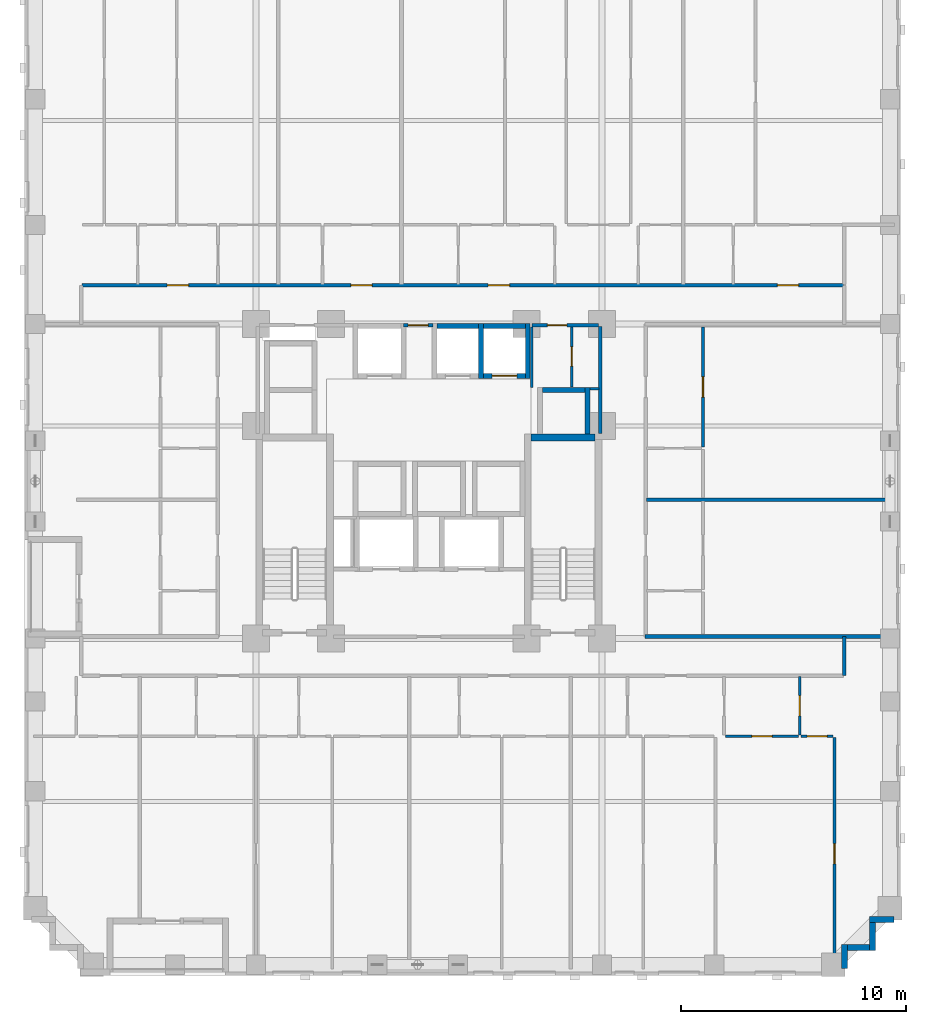
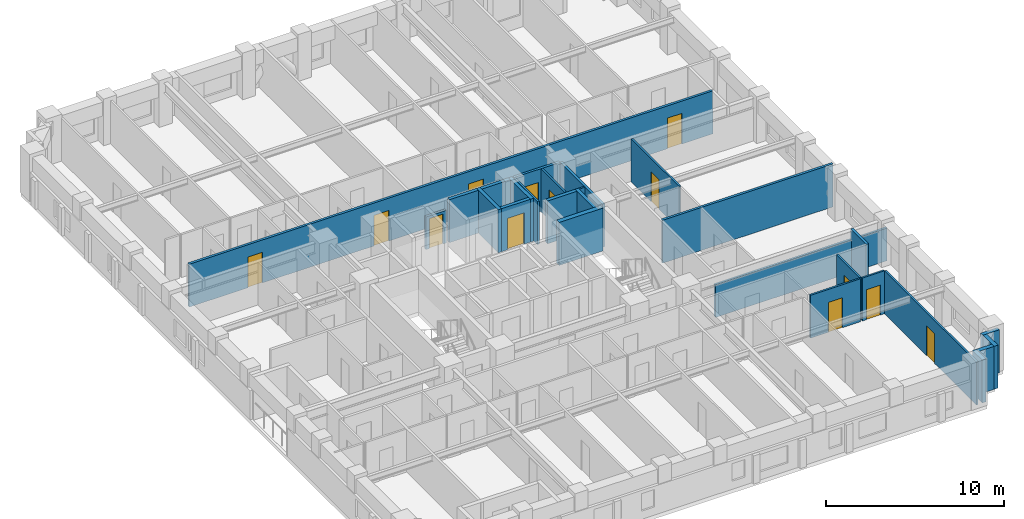
# One storey, part 6 of 14: 27 walls, 13 doors, 13 openings.
"""IFC4 building model written with IfcOpenShell, lengths in metres."""

from ifc_helpers import new_model, si_unit, derived_unit, direction, frame, frame_2d, origin, place, context, subcontext, project, spatial, rectangle, extrude, material, layer, layer_set, type_object, element, fill, save


model = new_model("IFC4")

# Units and contexts
model_context = context("Model", 3, precision=1e-05, world=origin(), true_north=direction((0.0, 1.0)))
body_context = subcontext(model_context, "Body", "Model", "MODEL_VIEW")
ifc_project = project(units=[si_unit("LENGTHUNIT", "METRE"), si_unit("AREAUNIT", "SQUARE_METRE"), si_unit("VOLUMEUNIT", "CUBIC_METRE"), si_unit("PLANEANGLEUNIT", "RADIAN"), si_unit("MASSUNIT", "GRAM", prefix="KILO"), derived_unit("THERMALTRANSMITTANCEUNIT", [(si_unit("MASSUNIT", "GRAM", prefix="KILO"), 1), (si_unit("TIMEUNIT", "SECOND"), -3), (si_unit("THERMODYNAMICTEMPERATUREUNIT", "KELVIN"), -1)])], contexts=[model_context])

# Site, building, storey
site_placement = place(None, origin())
site = spatial("IfcSite", under=ifc_project, at=site_placement, CompositionType="ELEMENT")
building_placement = place(site_placement, origin())
building = spatial("IfcBuilding", under=site, at=building_placement, Name="Korrvale Station Residences", CompositionType="ELEMENT")
storey_placement = place(building_placement, frame((0.0, 0.0, 54.60009765625)))
storey = spatial("IfcBuildingStorey", under=building, at=storey_placement, Name="L14", CompositionType="ELEMENT", Elevation=54.60009765625)

# Walls
ifc_material_1 = material(Name="Concrete C70/85", Category="concrete")
ifc_layer_1 = layer(ifc_material_1, 0.300048828125, Name="Concrete C70/85")
ifc_layer_set_1 = layer_set([ifc_layer_1], Name="Concrete C70/85")
wall_type_1 = type_object("IfcWallType", Name="WAL-CORE-300-C70", PredefinedType="SHEAR", material=ifc_layer_set_1)
wall_1_placement = place(storey_placement, frame((30.050048828125, 23.949951171875, 0.0), z_axis=(0.0, 0.0, 1.0), x_axis=(1.0, 0.0, 0.0)))
element("IfcWall", 1, at=wall_1_placement, inside=storey, type_object=wall_type_1, Name="L14 ST-2 Core Shear Wall North", PredefinedType="SHEAR", context=body_context, shape_type="SweptSolid", body=[
    extrude(rectangle(XDim=2.849853515625, YDim=0.300048828125, at=frame_2d((1.4248046875, 0.0))), origin(), (0.0, 0.0, 1.0), 2.93994140625),
])
ifc_material_2 = material(Name="Precast concrete C45/55", Category="concrete")
ifc_layer_2 = layer(ifc_material_2, 0.260009765625, Name="Precast concrete C45/55")
ifc_layer_set_2 = layer_set([ifc_layer_2], Name="Precast concrete C45/55")
wall_type_2 = type_object("IfcWallType", Name="WAL-EXT-LOG260", PredefinedType="SOLIDWALL", material=ifc_layer_set_2)
wall_2_placement = place(storey_placement, frame((46.197998046875, 2.5, 0.0), z_axis=(0.0, 0.0, 1.0), x_axis=(-1.0, 0.0, 0.0)))
element("IfcWall", 2, at=wall_2_placement, inside=storey, type_object=wall_type_2, Name="L14 Serrated Corner Precast Step SE-1", PredefinedType="SOLIDWALL", context=body_context, shape_type="SweptSolid", body=[
    extrude(rectangle(XDim=1.077880859375, YDim=0.260009765625, at=frame_2d((0.5390625, 0.0))), origin(), (0.0, 0.0, 1.0), 2.93994140625),
])
wall_3_placement = place(storey_placement, frame((45.25, 2.367919921875, 0.0), z_axis=(0.0, 0.0, 1.0), x_axis=(0.0, -1.0, 0.0)))
element("IfcWall", 3, at=wall_3_placement, inside=storey, type_object=wall_type_2, Name="L14 Serrated Corner Precast Step SE-2", PredefinedType="SOLIDWALL", context=body_context, shape_type="SweptSolid", body=[
    extrude(rectangle(XDim=1.247802734375, YDim=0.260009765625, at=frame_2d((0.6240234375, 0.0))), origin(), (0.0, 0.0, 1.0), 2.93994140625),
])
wall_4_placement = place(storey_placement, frame((45.117919921875, 1.25, 0.0), z_axis=(0.0, 0.0, 1.0), x_axis=(-1.0, 0.0, 0.0)))
element("IfcWall", 4, at=wall_4_placement, inside=storey, type_object=wall_type_2, Name="L14 Serrated Corner Precast Step SE-3", PredefinedType="SOLIDWALL", context=body_context, shape_type="SweptSolid", body=[
    extrude(rectangle(XDim=0.98583984375, YDim=0.260009765625, at=frame_2d((0.492919921875, 0.0))), origin(), (0.0, 0.0, 1.0), 2.93994140625),
])
wall_5_placement = place(storey_placement, frame((44.0, 1.3798828125, 0.0), z_axis=(0.0, 0.0, 1.0), x_axis=(0.0, -1.0, 0.0)))
element("IfcWall", 5, at=wall_5_placement, inside=storey, type_object=wall_type_2, Name="L14 Serrated Corner Precast Step SE-4", PredefinedType="SOLIDWALL", context=body_context, shape_type="SweptSolid", body=[
    extrude(rectangle(XDim=1.077880859375, YDim=0.260009765625, at=frame_2d((0.5390625, 0.0))), origin(), (0.0, 0.0, 1.0), 2.93994140625),
])
ifc_material_3 = material(Name="Acoustic steel-stud gypsum board partition", Category="steel")
ifc_layer_3 = layer(ifc_material_3, 0.1201171875, Name="Acoustic steel-stud gypsum board partition")
ifc_layer_set_3 = layer_set([ifc_layer_3], Name="Acoustic steel-stud gypsum board partition")
wall_type_3 = type_object("IfcWallType", Name="WAL-PART-125", PredefinedType="PARTITIONING", material=ifc_layer_set_3)
wall_6_placement = place(storey_placement, frame((30.080078125, 26.179931640625, 0.0), z_axis=(0.0, 0.0, 1.0), x_axis=(0.0, 1.0, 0.0)))
element("IfcWall", 6, at=wall_6_placement, inside=storey, type_object=wall_type_3, Name="L14 Core Partition CW-CS-W", PredefinedType="PARTITIONING", context=body_context, shape_type="SweptSolid", body=[
    extrude(rectangle(XDim=2.68017578125, YDim=0.1201171875, at=frame_2d((1.340087890625, 0.0))), origin(), (0.0, 0.0, 1.0), 2.93994140625),
])
wall_7_placement = place(storey_placement, frame((32.679931640625, 26.1201171875, 0.0), z_axis=(0.0, 0.0, 1.0), x_axis=(1.0, 0.0, 0.0)))
element("IfcWall", 7, at=wall_7_placement, inside=storey, type_object=wall_type_3, Name="L14 Core Partition CW-CS-S", PredefinedType="PARTITIONING", context=body_context, shape_type="SweptSolid", body=[
    extrude(rectangle(XDim=0.380126953125, YDim=0.1201171875, at=frame_2d((0.18994140625, 0.0))), origin(), (0.0, 0.0, 1.0), 2.93994140625),
])

# Wall, opening, door
wall_8_placement = place(storey_placement, frame((31.860107421875, 26.199951171875, 0.0), z_axis=(0.0, 0.0, 1.0), x_axis=(0.0, 1.0, 0.0)))
wall_8 = element("IfcWall", 8, at=wall_8_placement, inside=storey, type_object=wall_type_3, Name="L14 Core Partition CW-CS-MID", PredefinedType="PARTITIONING", context=body_context, shape_type="SweptSolid", body=[
    extrude(rectangle(XDim=2.66015625, YDim=0.1201171875, at=frame_2d((1.330078125, 0.0))), origin(), (0.0, 0.0, 1.0), 2.93994140625),
])
opening_1_placement = place(wall_8_placement, frame((0.919921875, 0.0, 0.0)))
opening_1 = element("IfcOpeningElement", 9, at=opening_1_placement, cuts=wall_8, Name="Opening DB-860", PredefinedType="OPENING", context=body_context, shape_type="SweptSolid", body=[
    extrude(rectangle(XDim=0.860107421875, YDim=2.050048828125, at=frame_2d((0.43017578125, 1.02490234375))), frame((0.0, 0.070068359375, 0.0), z_axis=(0.0, -1.0, 0.0), x_axis=(1.0, 0.0, 0.0)), (0.0, 0.0, 1.0), 0.14013671875),
])
ifc_material_4 = material(Name="Moisture-resistant solid-core bathroom door", Category="timber")
door_type_1 = type_object("IfcDoorType", Name="DR-BATH-860", OperationType="NOTDEFINED", PredefinedType="DOOR", material=ifc_material_4)
door_1_placement = place(opening_1_placement, origin())
door_1 = element("IfcDoor", 10, at=door_1_placement, inside=storey, type_object=door_type_1, Name="L14 Metering Inner Door", OperationType="SINGLE_SWING_LEFT", OverallHeight=2.050048828125, OverallWidth=0.860107421875, PredefinedType="DOOR", context=body_context, shape_type="SweptSolid", body=[
    extrude(rectangle(XDim=0.860107421875, YDim=2.050048828125, at=frame_2d((0.43017578125, 1.02490234375))), frame((0.0, 0.02490234375, 0.0), z_axis=(0.0, -1.0, 0.0), x_axis=(1.0, 0.0, 0.0)), (0.0, 0.0, 1.0), 0.050048828125),
])
fill(opening_1, door_1)

wall_9_placement = place(storey_placement, frame((42.007080078125, 10.7099609375, 0.0), z_axis=(0.0, 0.0, 1.0), x_axis=(0.0, 1.0, 0.0)))
wall_9 = element("IfcWall", 11, at=wall_9_placement, inside=storey, type_object=wall_type_3, Name="L14 Suite Partition U04-V23", PredefinedType="PARTITIONING", context=body_context, shape_type="SweptSolid", body=[
    extrude(rectangle(XDim=2.60009765625, YDim=0.1201171875, at=frame_2d((1.300048828125, 0.0))), origin(), (0.0, 0.0, 1.0), 2.93994140625),
])
opening_2_placement = place(wall_9_placement, frame((0.85009765625, 0.0, 0.0)))
opening_2 = element("IfcOpeningElement", 12, at=opening_2_placement, cuts=wall_9, Name="Opening DI-900", PredefinedType="OPENING", context=body_context, shape_type="SweptSolid", body=[
    extrude(rectangle(XDim=0.89990234375, YDim=2.050048828125, at=frame_2d((0.449951171875, 1.02490234375))), frame((0.0, 0.070068359375, 0.0), z_axis=(0.0, -1.0, 0.0), x_axis=(1.0, 0.0, 0.0)), (0.0, 0.0, 1.0), 0.14013671875),
])
ifc_material_5 = material(Name="Painted solid-core timber interior room door", Category="wood")
door_type_2 = type_object("IfcDoorType", Name="DR-INT-900", OperationType="NOTDEFINED", PredefinedType="DOOR", material=ifc_material_5)
door_2_placement = place(opening_2_placement, origin())
door_2 = element("IfcDoor", 13, at=door_2_placement, inside=storey, type_object=door_type_2, Name="L14 Studio Apartment L14-U04 Home Study Room Door", OperationType="SINGLE_SWING_RIGHT", OverallHeight=2.050048828125, OverallWidth=0.89990234375, PredefinedType="DOOR", context=body_context, shape_type="SweptSolid", body=[
    extrude(rectangle(XDim=0.89990234375, YDim=2.050048828125, at=frame_2d((0.449951171875, 1.02490234375))), frame((0.0, 0.02490234375, 0.0), z_axis=(0.0, -1.0, 0.0), x_axis=(1.0, 0.0, 0.0)), (0.0, 0.0, 1.0), 0.050048828125),
])
fill(opening_2, door_2)

wall_10_placement = place(storey_placement, frame((38.697021484375, 10.64990234375, 0.0), z_axis=(0.0, 0.0, 1.0), x_axis=(1.0, 0.0, 0.0)))
wall_10 = element("IfcWall", 14, at=wall_10_placement, inside=storey, type_object=wall_type_3, Name="L14 Suite Partition U04-H26", PredefinedType="PARTITIONING", context=body_context, shape_type="SweptSolid", body=[
    extrude(rectangle(XDim=3.25, YDim=0.1201171875, at=frame_2d((1.625, 0.0))), origin(), (0.0, 0.0, 1.0), 2.93994140625),
])
opening_3_placement = place(wall_10_placement, frame((1.175048828125, 0.0, 0.0)))
opening_3 = element("IfcOpeningElement", 15, at=opening_3_placement, cuts=wall_10, Name="Opening DI-900", PredefinedType="OPENING", context=body_context, shape_type="SweptSolid", body=[
    extrude(rectangle(XDim=0.89990234375, YDim=2.050048828125, at=frame_2d((0.449951171875, 1.02490234375))), frame((0.0, 0.070068359375, 0.0), z_axis=(0.0, -1.0, 0.0), x_axis=(1.0, 0.0, 0.0)), (0.0, 0.0, 1.0), 0.14013671875),
])
door_3_placement = place(opening_3_placement, origin())
door_3 = element("IfcDoor", 16, at=door_3_placement, inside=storey, type_object=door_type_2, Name="L14 Studio Apartment L14-U04 Home Study Room Door", OperationType="SINGLE_SWING_LEFT", OverallHeight=2.050048828125, OverallWidth=0.89990234375, PredefinedType="DOOR", context=body_context, shape_type="SweptSolid", body=[
    extrude(rectangle(XDim=0.89990234375, YDim=2.050048828125, at=frame_2d((0.449951171875, 1.02490234375))), frame((0.0, 0.02490234375, 0.0), z_axis=(0.0, -1.0, 0.0), x_axis=(1.0, 0.0, 0.0)), (0.0, 0.0, 1.0), 0.050048828125),
])
fill(opening_3, door_3)

wall_11_placement = place(storey_placement, frame((42.06689453125, 10.64990234375, 0.0), z_axis=(0.0, 0.0, 1.0), x_axis=(1.0, 0.0, 0.0)))
wall_11 = element("IfcWall", 17, at=wall_11_placement, inside=storey, type_object=wall_type_3, Name="L14 Suite Partition U04-H36", PredefinedType="PARTITIONING", context=body_context, shape_type="SweptSolid", body=[
    extrude(rectangle(XDim=1.423095703125, YDim=0.1201171875, at=frame_2d((0.71142578125, 0.0))), origin(), (0.0, 0.0, 1.0), 2.93994140625),
])
opening_4_placement = place(wall_11_placement, frame((0.261962890625, 0.0, 0.0)))
opening_4 = element("IfcOpeningElement", 18, at=opening_4_placement, cuts=wall_11, Name="Opening DI-900", PredefinedType="OPENING", context=body_context, shape_type="SweptSolid", body=[
    extrude(rectangle(XDim=0.89990234375, YDim=2.050048828125, at=frame_2d((0.449951171875, 1.02490234375))), frame((0.0, 0.070068359375, 0.0), z_axis=(0.0, -1.0, 0.0), x_axis=(1.0, 0.0, 0.0)), (0.0, 0.0, 1.0), 0.14013671875),
])
door_4_placement = place(opening_4_placement, origin())
door_4 = element("IfcDoor", 19, at=door_4_placement, inside=storey, type_object=door_type_2, Name="L14 Studio Apartment L14-U04 Utility and Laundry Room Door", OperationType="SINGLE_SWING_RIGHT", OverallHeight=2.050048828125, OverallWidth=0.89990234375, PredefinedType="DOOR", context=body_context, shape_type="SweptSolid", body=[
    extrude(rectangle(XDim=0.89990234375, YDim=2.050048828125, at=frame_2d((0.449951171875, 1.02490234375))), frame((0.0, 0.02490234375, 0.0), z_axis=(0.0, -1.0, 0.0), x_axis=(1.0, 0.0, 0.0)), (0.0, 0.0, 1.0), 0.050048828125),
])
fill(opening_4, door_4)

wall_12_placement = place(storey_placement, frame((43.550048828125, 0.280029296875, 0.0), z_axis=(0.0, 0.0, 1.0), x_axis=(0.0, 1.0, 0.0)))
wall_12 = element("IfcWall", 20, at=wall_12_placement, inside=storey, type_object=wall_type_3, Name="L14 Suite Partition U04-V67", PredefinedType="PARTITIONING", context=body_context, shape_type="SweptSolid", body=[
    extrude(rectangle(XDim=10.31005859375, YDim=0.1201171875, at=frame_2d((5.155029296875, 0.0))), origin(), (0.0, 0.0, 1.0), 2.93994140625),
])
opening_5_placement = place(wall_12_placement, frame((4.68994140625, 0.0, 0.0)))
opening_5 = element("IfcOpeningElement", 21, at=opening_5_placement, cuts=wall_12, Name="Opening DI-900", PredefinedType="OPENING", context=body_context, shape_type="SweptSolid", body=[
    extrude(rectangle(XDim=0.89990234375, YDim=2.050048828125, at=frame_2d((0.449951171875, 1.02490234375))), frame((0.0, 0.070068359375, 0.0), z_axis=(0.0, -1.0, 0.0), x_axis=(1.0, 0.0, 0.0)), (0.0, 0.0, 1.0), 0.14013671875),
])
door_5_placement = place(opening_5_placement, origin())
door_5 = element("IfcDoor", 22, at=door_5_placement, inside=storey, type_object=door_type_2, Name="L14 Studio Apartment L14-U04 Studio Living Room Door", OperationType="SINGLE_SWING_LEFT", OverallHeight=2.050048828125, OverallWidth=0.89990234375, PredefinedType="DOOR", context=body_context, shape_type="SweptSolid", body=[
    extrude(rectangle(XDim=0.89990234375, YDim=2.050048828125, at=frame_2d((0.449951171875, 1.02490234375))), frame((0.0, 0.02490234375, 0.0), z_axis=(0.0, -1.0, 0.0), x_axis=(1.0, 0.0, 0.0)), (0.0, 0.0, 1.0), 0.050048828125),
])
fill(opening_5, door_5)

wall_13_placement = place(storey_placement, frame((37.699951171875, 23.527099609375, 0.0), z_axis=(0.0, 0.0, 1.0), x_axis=(0.0, 1.0, 0.0)))
wall_13 = element("IfcWall", 23, at=wall_13_placement, inside=storey, type_object=wall_type_3, Name="L14 Suite Partition U12-V12", PredefinedType="PARTITIONING", context=body_context, shape_type="SweptSolid", body=[
    extrude(rectangle(XDim=5.3330078125, YDim=0.1201171875, at=frame_2d((2.66650390625, 0.0))), origin(), (0.0, 0.0, 1.0), 2.93994140625),
])
opening_6_placement = place(wall_13_placement, frame((2.216064453125, 0.0, 0.0)))
opening_6 = element("IfcOpeningElement", 24, at=opening_6_placement, cuts=wall_13, Name="Opening DI-900", PredefinedType="OPENING", context=body_context, shape_type="SweptSolid", body=[
    extrude(rectangle(XDim=0.89990234375, YDim=2.050048828125, at=frame_2d((0.449951171875, 1.02490234375))), frame((0.0, 0.070068359375, 0.0), z_axis=(0.0, -1.0, 0.0), x_axis=(1.0, 0.0, 0.0)), (0.0, 0.0, 1.0), 0.14013671875),
])
door_6_placement = place(opening_6_placement, origin())
door_6 = element("IfcDoor", 25, at=door_6_placement, inside=storey, type_object=door_type_2, Name="L14 Apartment 1BR L14-U12 Kitchen Door", OperationType="SINGLE_SWING_LEFT", OverallHeight=2.050048828125, OverallWidth=0.89990234375, PredefinedType="DOOR", context=body_context, shape_type="SweptSolid", body=[
    extrude(rectangle(XDim=0.89990234375, YDim=2.050048828125, at=frame_2d((0.449951171875, 1.02490234375))), frame((0.0, 0.02490234375, 0.0), z_axis=(0.0, -1.0, 0.0), x_axis=(1.0, 0.0, 0.0)), (0.0, 0.0, 1.0), 0.050048828125),
])
fill(opening_6, door_6)

# Wall
ifc_material_6 = material(Name="Fire-rated twin-stud gypsum and mineral wool shaftwall assembly", Category="gypsum")
ifc_layer_4 = layer(ifc_material_6, 0.159912109375, Name="Fire-rated twin-stud gypsum and mineral wool shaftwall assembly")
ifc_layer_set_4 = layer_set([ifc_layer_4], Name="Fire-rated twin-stud gypsum and mineral wool shaftwall assembly")
wall_type_4 = type_object("IfcWallType", Name="WAL-PART-200", PredefinedType="PARTITIONING", material=ifc_layer_set_4)
wall_14_placement = place(storey_placement, frame((33.1201171875, 24.1201171875, 0.0), z_axis=(0.0, 0.0, 1.0), x_axis=(0.0, 1.0, 0.0)))
element("IfcWall", 26, at=wall_14_placement, inside=storey, type_object=wall_type_4, Name="L14 Core Partition CW-E-N", PredefinedType="PARTITIONING", context=body_context, shape_type="SweptSolid", body=[
    extrude(rectangle(XDim=4.759765625, YDim=0.159912109375, at=frame_2d((2.3798828125, 0.0))), origin(), (0.0, 0.0, 1.0), 2.93994140625),
])

# Wall, opening, door
wall_15_placement = place(storey_placement, frame((24.360107421875, 28.949951171875, 0.0), z_axis=(0.0, 0.0, 1.0), x_axis=(1.0, 0.0, 0.0)))
wall_15 = element("IfcWall", 27, at=wall_15_placement, inside=storey, type_object=wall_type_4, Name="L14 Core Partition CW-LLOB-N", PredefinedType="PARTITIONING", context=body_context, shape_type="SweptSolid", body=[
    extrude(rectangle(XDim=1.31982421875, YDim=0.159912109375, at=frame_2d((0.659912109375, 0.0))), origin(), (0.0, 0.0, 1.0), 2.23193359375),
])
opening_7_placement = place(wall_15_placement, frame((0.2099609375, 0.0, 0.0)))
opening_7 = element("IfcOpeningElement", 28, at=opening_7_placement, cuts=wall_15, Name="Opening DI-900", PredefinedType="OPENING", context=body_context, shape_type="SweptSolid", body=[
    extrude(rectangle(XDim=0.89990234375, YDim=2.050048828125, at=frame_2d((0.449951171875, 1.02490234375))), frame((0.0, 0.08984375, 0.0), z_axis=(0.0, -1.0, 0.0), x_axis=(1.0, 0.0, 0.0)), (0.0, 0.0, 1.0), 0.179931640625),
])
door_7_placement = place(opening_7_placement, origin())
door_7 = element("IfcDoor", 29, at=door_7_placement, inside=storey, type_object=door_type_2, Name="L14 Central Hallway North Passage Door", OperationType="SINGLE_SWING_LEFT", OverallHeight=2.050048828125, OverallWidth=0.89990234375, PredefinedType="DOOR", context=body_context, shape_type="SweptSolid", body=[
    extrude(rectangle(XDim=0.89990234375, YDim=2.050048828125, at=frame_2d((0.449951171875, 1.02490234375))), frame((0.0, 0.02490234375, 0.0), z_axis=(0.0, -1.0, 0.0), x_axis=(1.0, 0.0, 0.0)), (0.0, 0.0, 1.0), 0.050048828125),
])
fill(opening_7, door_7)

wall_16_placement = place(storey_placement, frame((30.080078125, 28.949951171875, 0.0), z_axis=(0.0, 0.0, 1.0), x_axis=(1.0, 0.0, 0.0)))
wall_16 = element("IfcWall", 30, at=wall_16_placement, inside=storey, type_object=wall_type_4, Name="L14 Core Partition CW-CS-N", PredefinedType="PARTITIONING", context=body_context, shape_type="SweptSolid", body=[
    extrude(rectangle(XDim=2.9599609375, YDim=0.159912109375, at=frame_2d((1.47998046875, 0.0))), origin(), (0.0, 0.0, 1.0), 2.93994140625),
])
opening_8_placement = place(wall_16_placement, frame((0.695068359375, 0.0, 0.0)))
opening_8 = element("IfcOpeningElement", 31, at=opening_8_placement, cuts=wall_16, Name="Opening DB-860", PredefinedType="OPENING", context=body_context, shape_type="SweptSolid", body=[
    extrude(rectangle(XDim=0.860107421875, YDim=2.050048828125, at=frame_2d((0.43017578125, 1.02490234375))), frame((0.0, 0.08984375, 0.0), z_axis=(0.0, -1.0, 0.0), x_axis=(1.0, 0.0, 0.0)), (0.0, 0.0, 1.0), 0.179931640625),
])
door_8_placement = place(opening_8_placement, origin())
door_8 = element("IfcDoor", 32, at=door_8_placement, inside=storey, type_object=door_type_1, Name="L14 Housekeeping Supply Door", OperationType="SINGLE_SWING_RIGHT", OverallHeight=2.050048828125, OverallWidth=0.860107421875, PredefinedType="DOOR", context=body_context, shape_type="SweptSolid", body=[
    extrude(rectangle(XDim=0.860107421875, YDim=2.050048828125, at=frame_2d((0.43017578125, 1.02490234375))), frame((0.0, 0.02490234375, 0.0), z_axis=(0.0, -1.0, 0.0), x_axis=(1.0, 0.0, 0.0)), (0.0, 0.0, 1.0), 0.050048828125),
])
fill(opening_8, door_8)

# Walls
wall_17_placement = place(storey_placement, frame((43.97998046875, 13.35009765625, 0.0), z_axis=(0.0, 0.0, 1.0), x_axis=(0.0, 1.0, 0.0)))
element("IfcWall", 33, at=wall_17_placement, inside=storey, type_object=wall_type_4, Name="L14 Corridor South East Cap", PredefinedType="PARTITIONING", context=body_context, shape_type="SweptSolid", body=[
    extrude(rectangle(XDim=1.739990234375, YDim=0.159912109375, at=frame_2d((0.8701171875, 0.0))), origin(), (0.0, 0.0, 1.0), 2.93994140625),
])
wall_18_placement = place(storey_placement, frame((35.110107421875, 15.090087890625, 0.0), z_axis=(0.0, 0.0, 1.0), x_axis=(1.0, 0.0, 0.0)))
element("IfcWall", 34, at=wall_18_placement, inside=storey, type_object=wall_type_4, Name="L14 East Wing South Corridor Wall", PredefinedType="PARTITIONING", context=body_context, shape_type="SweptSolid", body=[
    extrude(rectangle(XDim=11.10986328125, YDim=0.159912109375, at=frame_2d((5.554931640625, 0.0))), origin(), (0.0, 0.0, 1.0), 2.23193359375),
])
wall_19_placement = place(storey_placement, frame((35.18994140625, 21.166015625, 0.0), z_axis=(0.0, 0.0, 1.0), x_axis=(1.0, 0.0, 0.0)))
element("IfcWall", 35, at=wall_19_placement, inside=storey, type_object=wall_type_4, Name="L14 Demising Wall U11-N", PredefinedType="PARTITIONING", context=body_context, shape_type="SweptSolid", body=[
    extrude(rectangle(XDim=11.030029296875, YDim=0.159912109375, at=frame_2d((5.51513671875, 0.0))), origin(), (0.0, 0.0, 1.0), 2.93994140625),
])

# Wall, openings, doors
wall_20_placement = place(storey_placement, frame((10.050048828125, 30.719970703125, 0.0), z_axis=(0.0, 0.0, 1.0), x_axis=(1.0, 0.0, 0.0)))
wall_20 = element("IfcWall", 36, at=wall_20_placement, inside=storey, type_object=wall_type_4, Name="L14 Rated Corridor Wall N", PredefinedType="PARTITIONING", context=body_context, shape_type="SweptSolid", body=[
    extrude(rectangle(XDim=33.89990234375, YDim=0.159912109375, at=frame_2d((16.949951171875, 0.0))), origin(), (0.0, 0.0, 1.0), 2.93994140625),
])
opening_9_placement = place(wall_20_placement, frame((3.800048828125, 0.0, 0.0)))
opening_9 = element("IfcOpeningElement", 37, at=opening_9_placement, cuts=wall_20, Name="Opening UD-950", PredefinedType="OPENING", context=body_context, shape_type="SweptSolid", body=[
    extrude(rectangle(XDim=0.949951171875, YDim=2.10009765625, at=frame_2d((0.47509765625, 1.050048828125))), frame((0.0, 0.08984375, 0.0), z_axis=(0.0, -1.0, 0.0), x_axis=(1.0, 0.0, 0.0)), (0.0, 0.0, 1.0), 0.179931640625),
])
opening_10_placement = place(wall_20_placement, frame((11.97705078125, 0.0, 0.0)))
opening_10 = element("IfcOpeningElement", 38, at=opening_10_placement, cuts=wall_20, Name="Opening UD-950", PredefinedType="OPENING", context=body_context, shape_type="SweptSolid", body=[
    extrude(rectangle(XDim=0.949951171875, YDim=2.10009765625, at=frame_2d((0.47509765625, 1.050048828125))), frame((0.0, 0.08984375, 0.0), z_axis=(0.0, -1.0, 0.0), x_axis=(1.0, 0.0, 0.0)), (0.0, 0.0, 1.0), 0.179931640625),
])
opening_11_placement = place(wall_20_placement, frame((18.090087890625, 0.0, 0.0)))
opening_11 = element("IfcOpeningElement", 39, at=opening_11_placement, cuts=wall_20, Name="Opening UD-950", PredefinedType="OPENING", context=body_context, shape_type="SweptSolid", body=[
    extrude(rectangle(XDim=0.949951171875, YDim=2.10009765625, at=frame_2d((0.47509765625, 1.050048828125))), frame((0.0, 0.08984375, 0.0), z_axis=(0.0, -1.0, 0.0), x_axis=(1.0, 0.0, 0.0)), (0.0, 0.0, 1.0), 0.179931640625),
])
opening_12_placement = place(wall_20_placement, frame((30.9560546875, 0.0, 0.0)))
opening_12 = element("IfcOpeningElement", 40, at=opening_12_placement, cuts=wall_20, Name="Opening UD-950", PredefinedType="OPENING", context=body_context, shape_type="SweptSolid", body=[
    extrude(rectangle(XDim=0.949951171875, YDim=2.10009765625, at=frame_2d((0.47509765625, 1.050048828125))), frame((0.0, 0.08984375, 0.0), z_axis=(0.0, -1.0, 0.0), x_axis=(1.0, 0.0, 0.0)), (0.0, 0.0, 1.0), 0.179931640625),
])
ifc_material_7 = material(Name="Solid-core acoustic oak apartment entrance door", Category="timber")
door_type_3 = type_object("IfcDoorType", Name="DR-UNIT-950", OperationType="NOTDEFINED", PredefinedType="DOOR", material=ifc_material_7)
door_9_placement = place(opening_9_placement, origin())
door_9 = element("IfcDoor", 41, at=door_9_placement, inside=storey, type_object=door_type_3, Name="L14 Apartment L14-U05 Entrance Door", OperationType="SINGLE_SWING_RIGHT", OverallHeight=2.10009765625, OverallWidth=0.949951171875, PredefinedType="DOOR", context=body_context, shape_type="SweptSolid", body=[
    extrude(rectangle(XDim=0.949951171875, YDim=2.10009765625, at=frame_2d((0.47509765625, 1.050048828125))), frame((0.0, 0.02490234375, 0.0), z_axis=(0.0, -1.0, 0.0), x_axis=(1.0, 0.0, 0.0)), (0.0, 0.0, 1.0), 0.050048828125),
])
fill(opening_9, door_9)
door_10_placement = place(opening_10_placement, origin())
door_10 = element("IfcDoor", 42, at=door_10_placement, inside=storey, type_object=door_type_3, Name="L14 Apartment L14-U06 Entrance Door", OperationType="SINGLE_SWING_LEFT", OverallHeight=2.10009765625, OverallWidth=0.949951171875, PredefinedType="DOOR", context=body_context, shape_type="SweptSolid", body=[
    extrude(rectangle(XDim=0.949951171875, YDim=2.10009765625, at=frame_2d((0.47509765625, 1.050048828125))), frame((0.0, 0.02490234375, 0.0), z_axis=(0.0, -1.0, 0.0), x_axis=(1.0, 0.0, 0.0)), (0.0, 0.0, 1.0), 0.050048828125),
])
fill(opening_10, door_10)
door_11_placement = place(opening_11_placement, origin())
door_11 = element("IfcDoor", 43, at=door_11_placement, inside=storey, type_object=door_type_3, Name="L14 Apartment L14-U07 Entrance Door", OperationType="SINGLE_SWING_RIGHT", OverallHeight=2.10009765625, OverallWidth=0.949951171875, PredefinedType="DOOR", context=body_context, shape_type="SweptSolid", body=[
    extrude(rectangle(XDim=0.949951171875, YDim=2.10009765625, at=frame_2d((0.47509765625, 1.050048828125))), frame((0.0, 0.02490234375, 0.0), z_axis=(0.0, -1.0, 0.0), x_axis=(1.0, 0.0, 0.0)), (0.0, 0.0, 1.0), 0.050048828125),
])
fill(opening_11, door_11)
door_12_placement = place(opening_12_placement, origin())
door_12 = element("IfcDoor", 44, at=door_12_placement, inside=storey, type_object=door_type_3, Name="L14 Apartment L14-U08 Entrance Door", OperationType="SINGLE_SWING_LEFT", OverallHeight=2.10009765625, OverallWidth=0.949951171875, PredefinedType="DOOR", context=body_context, shape_type="SweptSolid", body=[
    extrude(rectangle(XDim=0.949951171875, YDim=2.10009765625, at=frame_2d((0.47509765625, 1.050048828125))), frame((0.0, 0.02490234375, 0.0), z_axis=(0.0, -1.0, 0.0), x_axis=(1.0, 0.0, 0.0)), (0.0, 0.0, 1.0), 0.050048828125),
])
fill(opening_12, door_12)

# Walls
ifc_layer_5 = layer(ifc_material_1, 0.219970703125, Name="Concrete C70/85")
ifc_layer_set_5 = layer_set([ifc_layer_5], Name="Concrete C70/85")
wall_type_5 = type_object("IfcWallType", Name="WAL-SHAFT-220-C70", PredefinedType="SHEAR", material=ifc_layer_set_5)
wall_21_placement = place(storey_placement, frame((25.85009765625, 28.909912109375, 0.0), z_axis=(0.0, 0.0, 1.0), x_axis=(1.0, 0.0, 0.0)))
element("IfcWall", 45, at=wall_21_placement, inside=storey, type_object=wall_type_5, Name="L14 Elevator PL-2 Hoistway Wall North", PredefinedType="SHEAR", context=body_context, shape_type="SweptSolid", body=[
    extrude(rectangle(XDim=1.85986328125, YDim=0.219970703125, at=frame_2d((0.929931640625, 0.0))), origin(), (0.0, 0.0, 1.0), 2.93994140625),
])
wall_22_placement = place(storey_placement, frame((27.820068359375, 26.580078125, 0.0), z_axis=(0.0, 0.0, 1.0), x_axis=(0.0, 1.0, 0.0)))
element("IfcWall", 46, at=wall_22_placement, inside=storey, type_object=wall_type_5, Name="L14 Elevator PL-2 Hoistway Wall East", PredefinedType="SHEAR", context=body_context, shape_type="SweptSolid", body=[
    extrude(rectangle(XDim=2.43994140625, YDim=0.219970703125, at=frame_2d((1.219970703125, 0.0))), origin(), (0.0, 0.0, 1.0), 2.93994140625),
])

# Wall, opening, door
wall_23_placement = place(storey_placement, frame((27.929931640625, 26.68994140625, 0.0), z_axis=(0.0, 0.0, 1.0), x_axis=(1.0, 0.0, 0.0)))
wall_23 = element("IfcWall", 47, at=wall_23_placement, inside=storey, type_object=wall_type_5, Name="L14 Elevator PL-3 Hoistway Wall South", PredefinedType="SHEAR", context=body_context, shape_type="SweptSolid", body=[
    extrude(rectangle(XDim=1.860107421875, YDim=0.219970703125, at=frame_2d((0.93017578125, 0.0))), origin(), (0.0, 0.0, 1.0), 2.93994140625),
])
opening_13_placement = place(wall_23_placement, frame((0.3798828125, 0.0, 0.0)))
opening_13 = element("IfcOpeningElement", 48, at=opening_13_placement, cuts=wall_23, Name="Opening LD-1100", PredefinedType="OPENING", context=body_context, shape_type="SweptSolid", body=[
    extrude(rectangle(XDim=1.10009765625, YDim=2.14990234375, at=frame_2d((0.550048828125, 1.074951171875))), frame((0.0, 0.1201171875, 0.0), z_axis=(0.0, -1.0, 0.0), x_axis=(1.0, 0.0, 0.0)), (0.0, 0.0, 1.0), 0.239990234375),
])
ifc_material_8 = material(Name="Brushed stainless-steel elevator landing sliding door", Category="steel")
door_type_4 = type_object("IfcDoorType", Name="DR-LIFT-1100", OperationType="SLIDING_TO_LEFT", PredefinedType="DOOR", material=ifc_material_8)
door_13_placement = place(opening_13_placement, origin())
door_13 = element("IfcDoor", 49, at=door_13_placement, inside=storey, type_object=door_type_4, Name="L14 Elevator PL-3 Sliding Landing Door", OperationType="SLIDING_TO_LEFT", OverallHeight=2.14990234375, OverallWidth=1.10009765625, PredefinedType="DOOR", context=body_context, shape_type="SweptSolid", body=[
    extrude(rectangle(XDim=1.10009765625, YDim=2.14990234375, at=frame_2d((0.550048828125, 1.074951171875))), frame((0.0, 0.02490234375, 0.0), z_axis=(0.0, -1.0, 0.0), x_axis=(1.0, 0.0, 0.0)), (0.0, 0.0, 1.0), 0.050048828125),
])
fill(opening_13, door_13)

# Walls
wall_24_placement = place(storey_placement, frame((27.929931640625, 28.909912109375, 0.0), z_axis=(0.0, 0.0, 1.0), x_axis=(1.0, 0.0, 0.0)))
element("IfcWall", 50, at=wall_24_placement, inside=storey, type_object=wall_type_5, Name="L14 Elevator PL-3 Hoistway Wall North", PredefinedType="SHEAR", context=body_context, shape_type="SweptSolid", body=[
    extrude(rectangle(XDim=1.860107421875, YDim=0.219970703125, at=frame_2d((0.93017578125, 0.0))), origin(), (0.0, 0.0, 1.0), 2.93994140625),
])
wall_25_placement = place(storey_placement, frame((29.89990234375, 26.580078125, 0.0), z_axis=(0.0, 0.0, 1.0), x_axis=(0.0, 1.0, 0.0)))
element("IfcWall", 51, at=wall_25_placement, inside=storey, type_object=wall_type_5, Name="L14 Elevator PL-3 Hoistway Wall East", PredefinedType="SHEAR", context=body_context, shape_type="SweptSolid", body=[
    extrude(rectangle(XDim=2.43994140625, YDim=0.219970703125, at=frame_2d((1.219970703125, 0.0))), origin(), (0.0, 0.0, 1.0), 2.93994140625),
])
wall_26_placement = place(storey_placement, frame((30.550048828125, 26.06005859375, 0.0), z_axis=(0.0, 0.0, 1.0), x_axis=(1.0, 0.0, 0.0)))
element("IfcWall", 52, at=wall_26_placement, inside=storey, type_object=wall_type_5, Name="L14 Elevator PH-3 Hoistway Wall North", PredefinedType="SHEAR", context=body_context, shape_type="SweptSolid", body=[
    extrude(rectangle(XDim=1.89990234375, YDim=0.219970703125, at=frame_2d((0.949951171875, 0.0))), origin(), (0.0, 0.0, 1.0), 2.93994140625),
])
wall_27_placement = place(storey_placement, frame((32.56005859375, 24.10009765625, 0.0), z_axis=(0.0, 0.0, 1.0), x_axis=(0.0, 1.0, 0.0)))
element("IfcWall", 53, at=wall_27_placement, inside=storey, type_object=wall_type_5, Name="L14 Elevator PH-3 Hoistway Wall East", PredefinedType="SHEAR", context=body_context, shape_type="SweptSolid", body=[
    extrude(rectangle(XDim=2.06982421875, YDim=0.219970703125, at=frame_2d((1.034912109375, 0.0))), origin(), (0.0, 0.0, 1.0), 2.93994140625),
])

save(model, "model.ifc")
